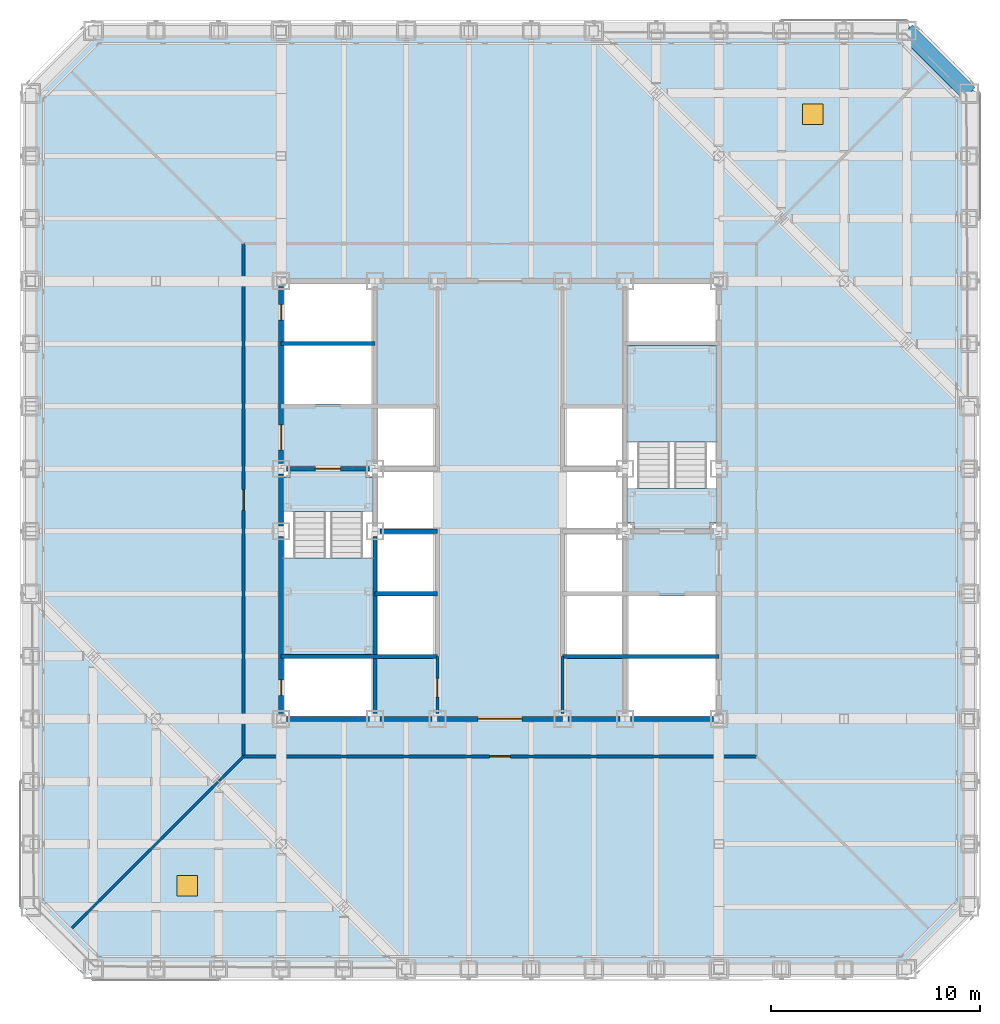
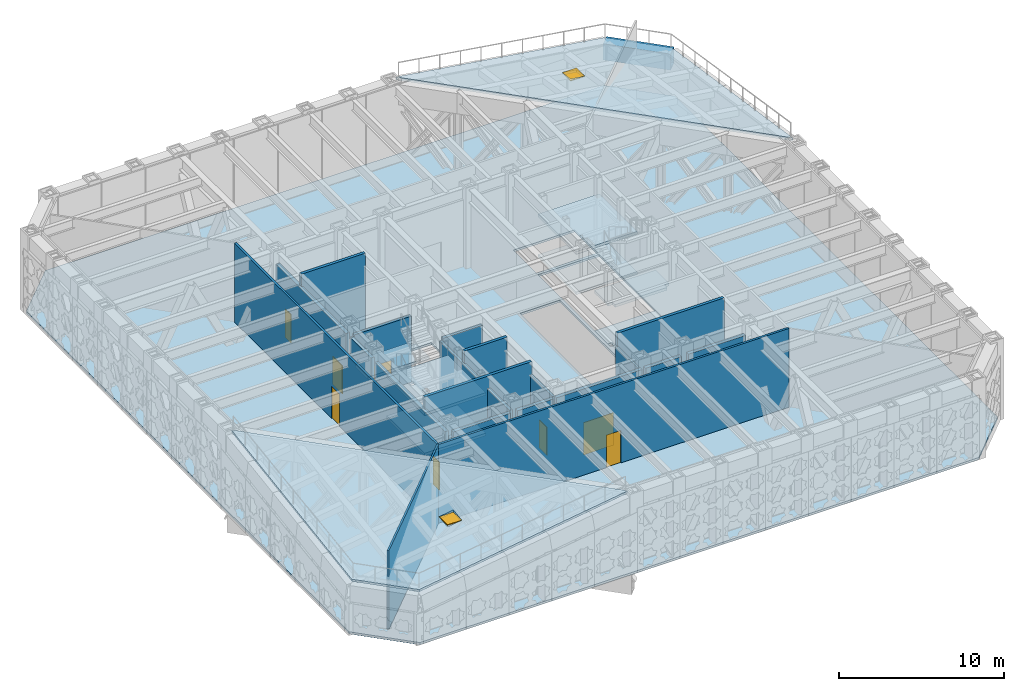
# One storey, part 11 of 31: 20 walls, 11 slabs, 10 doors, 1 beam, 10 openings, 2 elements without a shape of their own.
"""IFC4 building model written with IfcOpenShell, lengths in metres."""

from ifc_helpers import new_model, si_unit, direction, frame, frame_2d, origin, origin_2d, place, context, subcontext, project, spatial, polyline, rectangle, hollow_rectangle, outline, extrude, material, layer, layer_set, material_profile, profile_set, type_object, element, fill, aggregate, save


model = new_model("IFC4")

# Units and contexts
model_context = context("Model", 3, precision=1e-05, world=origin(), true_north=direction((0.0, 1.0)))
body_context = subcontext(model_context, "Body", "Model", "MODEL_VIEW")
ifc_project = project(units=[si_unit("LENGTHUNIT", "METRE"), si_unit("AREAUNIT", "SQUARE_METRE"), si_unit("VOLUMEUNIT", "CUBIC_METRE"), si_unit("PLANEANGLEUNIT", "RADIAN"), si_unit("MASSUNIT", "GRAM", prefix="KILO")], contexts=[model_context])

# Site, building, storey
site_placement = place(None, origin())
site = spatial("IfcSite", under=ifc_project, at=site_placement, CompositionType="ELEMENT")
building_placement = place(site_placement, origin())
building = spatial("IfcBuilding", under=site, at=building_placement, Name="Chuquiago Exchange Tower", CompositionType="ELEMENT")
storey_placement = place(building_placement, frame((0.0, 0.0, 96.300048828125)))
storey = spatial("IfcBuildingStorey", under=building, at=storey_placement, Name="L20", CompositionType="ELEMENT", Elevation=96.300048828125)

# Beam
ifc_material_1 = material(Name="Steel ASTM A572 Grade 50", Category="steel")
ifc_material_profile = material_profile(ifc_material_1, hollow_rectangle(XDim=0.800048828125, YDim=1.199951171875, WallThickness=0.10009765625, at=origin_2d()), Name="BOX1200X800X100")
ifc_profile_set = profile_set([ifc_material_profile], Name="Steel ASTM A572 Grade 50")
beam_type = type_object("IfcBeamType", Name="EB1 BOX1200X800X100", PredefinedType="BEAM", material=ifc_profile_set)
beam_placement = place(storey_placement, frame((45.0, 42.0, 2.945556640625), z_axis=(-0.707106781187, 0.707106781187, 0.0), x_axis=(-0.707106781187, -0.707106781187, 0.0)))
element("IfcBeam", 1, at=beam_placement, inside=storey, type_object=beam_type, Name="Facet roof edge beam L20", PredefinedType="BEAM", context=body_context, shape_type="SweptSolid", body=[
    extrude(hollow_rectangle(XDim=0.800048828125, YDim=1.199951171875, WallThickness=0.10009765625, at=origin_2d()), origin(), (0.0, 0.0, 1.0), 4.24267578125),
])

# Slab
ifc_material_2 = material(Name="Concrete C30/37", Category="concrete")
ifc_layer_1 = layer(ifc_material_2, 0.159912109375)
ifc_layer_set_1 = layer_set([ifc_layer_1], Name="FS1 composite floor 160")
slab_type_1 = type_object("IfcSlabType", Name="FS1 composite floor 160", PredefinedType="FLOOR", material=ifc_layer_set_1)
slab_1_placement = place(storey_placement, frame((0.0, 0.0, -0.16015625)))
element("IfcSlab", 2, at=slab_1_placement, inside=storey, type_object=slab_type_1, Name="L20 floor slab", PredefinedType="FLOOR", context=body_context, shape_type="SweptSolid", body=[
    extrude(outline(polyline([(2.896484375, -0.25), (-0.25, 2.896484375), (-0.25, 42.103515625), (2.896484375, 45.25), (42.103515625, 45.25), (45.25, 42.103515625), (45.25, 2.896484375), (42.103515625, -0.25), (2.896484375, -0.25)]), holes=[polyline([(16.39990234375, 15.10009765625), (12.10009765625, 15.10009765625), (12.10009765625, 23.89990234375), (16.39990234375, 23.89990234375), (16.39990234375, 15.10009765625)]), polyline([(32.89990234375, 21.10009765625), (28.60009765625, 21.10009765625), (28.60009765625, 29.89990234375), (32.89990234375, 29.89990234375), (32.89990234375, 21.10009765625)]), polyline([(16.39990234375, 12.10009765625), (12.10009765625, 12.10009765625), (12.10009765625, 14.89990234375), (16.39990234375, 14.89990234375), (16.39990234375, 12.10009765625)]), polyline([(16.39990234375, 30.10009765625), (12.10009765625, 30.10009765625), (12.10009765625, 32.89990234375), (16.39990234375, 32.89990234375), (16.39990234375, 30.10009765625)]), polyline([(32.89990234375, 12.10009765625), (28.60009765625, 12.10009765625), (28.60009765625, 14.89990234375), (32.89990234375, 14.89990234375), (32.89990234375, 12.10009765625)]), polyline([(32.89990234375, 30.10009765625), (28.60009765625, 30.10009765625), (28.60009765625, 32.89990234375), (32.89990234375, 32.89990234375), (32.89990234375, 30.10009765625)]), polyline([(16.39990234375, 27.10009765625), (12.10009765625, 27.10009765625), (12.10009765625, 29.89990234375), (16.39990234375, 29.89990234375), (16.39990234375, 27.10009765625)]), polyline([(32.89990234375, 15.10009765625), (28.60009765625, 15.10009765625), (28.60009765625, 17.89990234375), (32.89990234375, 17.89990234375), (32.89990234375, 15.10009765625)]), polyline([(19.39990234375, 15.10009765625), (16.60009765625, 15.10009765625), (16.60009765625, 26.89990234375), (19.39990234375, 26.89990234375), (19.39990234375, 15.10009765625)]), polyline([(28.39990234375, 15.10009765625), (25.60009765625, 15.10009765625), (25.60009765625, 26.89990234375), (28.39990234375, 26.89990234375), (28.39990234375, 15.10009765625)])]), origin(), (0.0, 0.0, 1.0), 0.16015625),
])

# Slab, opening, door
ifc_material_3 = material(Name="Concrete C30/37", Category="concrete")
ifc_layer_2 = layer(ifc_material_3, 0.199951171875)
ifc_layer_set_2 = layer_set([ifc_layer_2], Name="RS2 facet roof 200")
slab_type_2 = type_object("IfcSlabType", Name="RS2 facet roof 200", PredefinedType="ROOF", material=ifc_layer_set_2)
slab_2_placement = place(storey_placement, frame((42.0, 45.0, 3.745361328125), z_axis=(0.147018749662, 0.147018749662, 0.978146703974), x_axis=(0.707106781187, -0.707106781187, 0.0)))
slab_2 = element("IfcSlab", 3, at=slab_2_placement, inside=storey, type_object=slab_type_2, Name="Facet roof L20 NE, maintenance access only", PredefinedType="ROOF", context=body_context, shape_type="SweptSolid", body=[
    extrude(outline(polyline([(0.0, 0.0), (4.242640687119286, 0.0), (14.599269109224597, -10.588011368874223), (-10.356628422105313, -10.588011368874223), (0.0, 0.0)])), origin(), (0.0, 0.0, -1.0), 0.199951171875),
])
opening_1_placement = place(storey_placement, frame((37.5, 41.0, 4.5185546875)))
opening_1 = element("IfcOpeningElement", 4, at=opening_1_placement, cuts=slab_2, Name="Opening RH2", PredefinedType="OPENING", context=body_context, shape_type="SweptSolid", body=[
    extrude(rectangle(XDim=1.0, YDim=1.0, at=origin_2d()), origin(), (0.0, 0.0, 1.0), 0.804443359375),
])
ifc_material_4 = material(Name="Aluminium hatch, insulated, with upstand", Category="aluminium")
door_type_1 = type_object("IfcDoorType", Name="RH2 roof hatch 1000x1000", OperationType="SINGLE_SWING_LEFT", PredefinedType="TRAPDOOR", material=ifc_material_4)
door_1_placement = place(opening_1_placement, frame((0.0, 0.0, 0.454345703125)))
door_1 = element("IfcDoor", 5, at=door_1_placement, inside=storey, type_object=door_type_1, Name="Facet roof L20 NE access hatch, maintenance only", OperationType="SINGLE_SWING_LEFT", OverallHeight=1.0, OverallWidth=1.0, PredefinedType="TRAPDOOR", context=body_context, shape_type="SweptSolid", body=[
    extrude(rectangle(XDim=1.0, YDim=1.0, at=origin_2d()), origin(), (0.0, 0.0, 1.0), 0.050048828125),
])
fill(opening_1, door_1)

slab_3_placement = place(storey_placement, frame((3.0, 0.0, 3.745361328125), z_axis=(-0.147018749662, -0.147018749662, 0.978146703974), x_axis=(-0.707106781187, 0.707106781187, 0.0)))
slab_3 = element("IfcSlab", 6, at=slab_3_placement, inside=storey, type_object=slab_type_2, Name="Facet roof L20 SW, maintenance access only", PredefinedType="ROOF", context=body_context, shape_type="SweptSolid", body=[
    extrude(outline(polyline([(0.0, 0.0), (4.242640687119286, 0.0), (14.599269109224597, -10.588011368874223), (-10.356628422105313, -10.588011368874223), (0.0, 0.0)])), origin(), (0.0, 0.0, -1.0), 0.199951171875),
])
opening_2_placement = place(storey_placement, frame((7.5, 4.0, 4.5185546875)))
opening_2 = element("IfcOpeningElement", 7, at=opening_2_placement, cuts=slab_3, Name="Opening RH2", PredefinedType="OPENING", context=body_context, shape_type="SweptSolid", body=[
    extrude(rectangle(XDim=1.0, YDim=1.0, at=origin_2d()), origin(), (0.0, 0.0, 1.0), 0.804443359375),
])
door_2_placement = place(opening_2_placement, frame((0.0, 0.0, 0.454345703125)))
door_2 = element("IfcDoor", 8, at=door_2_placement, inside=storey, type_object=door_type_1, Name="Facet roof L20 SW access hatch, maintenance only", OperationType="SINGLE_SWING_LEFT", OverallHeight=1.0, OverallWidth=1.0, PredefinedType="TRAPDOOR", context=body_context, shape_type="SweptSolid", body=[
    extrude(rectangle(XDim=1.0, YDim=1.0, at=origin_2d()), origin(), (0.0, 0.0, 1.0), 0.050048828125),
])
fill(opening_2, door_2)

# Stair, slabs
ifc_material_5 = material(Name="Concrete C30/37, precast", Category="concrete")
stair_type_1 = type_object("IfcStairType", Name="ST1 double half-turn stair 6000", PredefinedType="DOUBLE_RETURN_STAIR", material=ifc_material_5)
stair_1_placement = place(storey_placement, origin())
stair_1 = element("IfcStair", 9, at=stair_1_placement, inside=storey, type_object=stair_type_1, Name="Stair ST1 L20", PredefinedType="DOUBLE_RETURN_STAIR")
ifc_material_6 = material(Name="Concrete C30/37, precast", Category="concrete")
ifc_layer_3 = layer(ifc_material_6, 0.199951171875)
ifc_layer_set_3 = layer_set([ifc_layer_3], Name="ST-L landing 200")
slab_type_3 = type_object("IfcSlabType", Name="ST-L landing 200", PredefinedType="LANDING", material=ifc_layer_set_3)
slab_4_placement = place(storey_placement, frame((0.0, 0.0, -0.199951171875)))
slab_4 = element("IfcSlab", 10, at=slab_4_placement, type_object=slab_type_3, Name="ST1 landing 1", PredefinedType="LANDING", context=body_context, shape_type="SweptSolid", body=[
    extrude(outline(polyline([(12.425048828125, 23.89990234375), (16.074951171875, 23.89990234375), (16.074951171875, 23.574951171875), (16.39990234375, 23.574951171875), (16.39990234375, 21.949951171875), (12.10009765625, 21.949951171875), (12.10009765625, 23.574951171875), (12.425048828125, 23.574951171875), (12.425048828125, 23.89990234375)])), origin(), (0.0, 0.0, 1.0), 0.199951171875),
])
slab_5_placement = place(storey_placement, frame((0.0, 0.0, 1.300048828125)))
slab_5 = element("IfcSlab", 11, at=slab_5_placement, type_object=slab_type_3, Name="ST1 landing 2", PredefinedType="LANDING", context=body_context, shape_type="SweptSolid", body=[
    extrude(outline(polyline([(12.10009765625, 19.7099609375), (16.39990234375, 19.7099609375), (16.39990234375, 15.10009765625), (12.10009765625, 15.10009765625), (12.10009765625, 19.7099609375)])), origin(), (0.0, 0.0, 1.0), 0.199951171875),
])
slab_6_placement = place(storey_placement, frame((0.0, 0.0, 2.800048828125)))
slab_6 = element("IfcSlab", 12, at=slab_6_placement, type_object=slab_type_3, Name="ST1 landing 3", PredefinedType="LANDING", context=body_context, shape_type="SweptSolid", body=[
    extrude(outline(polyline([(12.425048828125, 23.89990234375), (16.074951171875, 23.89990234375), (16.074951171875, 23.574951171875), (16.39990234375, 23.574951171875), (16.39990234375, 21.949951171875), (12.10009765625, 21.949951171875), (12.10009765625, 23.574951171875), (12.425048828125, 23.574951171875), (12.425048828125, 23.89990234375)])), origin(), (0.0, 0.0, 1.0), 0.199951171875),
])
slab_7_placement = place(storey_placement, frame((0.0, 0.0, 4.300048828125)))
slab_7 = element("IfcSlab", 13, at=slab_7_placement, type_object=slab_type_3, Name="ST1 landing 4", PredefinedType="LANDING", context=body_context, shape_type="SweptSolid", body=[
    extrude(outline(polyline([(12.10009765625, 19.7099609375), (16.39990234375, 19.7099609375), (16.39990234375, 15.10009765625), (12.10009765625, 15.10009765625), (12.10009765625, 19.7099609375)])), origin(), (0.0, 0.0, 1.0), 0.199951171875),
])
aggregate(stair_1, [slab_4, slab_5, slab_6, slab_7])

ifc_material_7 = material(Name="Concrete C30/37, precast", Category="concrete")
stair_type_2 = type_object("IfcStairType", Name="ST2 double half-turn stair 6000", PredefinedType="DOUBLE_RETURN_STAIR", material=ifc_material_7)
stair_2_placement = place(storey_placement, origin())
stair_2 = element("IfcStair", 14, at=stair_2_placement, inside=storey, type_object=stair_type_2, Name="Stair ST2 L20", PredefinedType="DOUBLE_RETURN_STAIR")
slab_8_placement = place(storey_placement, frame((0.0, 0.0, -0.199951171875)))
slab_8 = element("IfcSlab", 15, at=slab_8_placement, type_object=slab_type_3, Name="ST2 landing 1", PredefinedType="LANDING", context=body_context, shape_type="SweptSolid", body=[
    extrude(outline(polyline([(32.574951171875, 21.425048828125), (32.574951171875, 21.10009765625), (28.925048828125, 21.10009765625), (28.925048828125, 21.425048828125), (28.60009765625, 21.425048828125), (28.60009765625, 23.050048828125), (32.89990234375, 23.050048828125), (32.89990234375, 21.425048828125), (32.574951171875, 21.425048828125)])), origin(), (0.0, 0.0, 1.0), 0.199951171875),
])
slab_9_placement = place(storey_placement, frame((0.0, 0.0, 1.300048828125)))
slab_9 = element("IfcSlab", 16, at=slab_9_placement, type_object=slab_type_3, Name="ST2 landing 2", PredefinedType="LANDING", context=body_context, shape_type="SweptSolid", body=[
    extrude(outline(polyline([(28.60009765625, 29.89990234375), (32.89990234375, 29.89990234375), (32.89990234375, 25.2900390625), (28.60009765625, 25.2900390625), (28.60009765625, 29.89990234375)])), origin(), (0.0, 0.0, 1.0), 0.199951171875),
])
slab_10_placement = place(storey_placement, frame((0.0, 0.0, 2.800048828125)))
slab_10 = element("IfcSlab", 17, at=slab_10_placement, type_object=slab_type_3, Name="ST2 landing 3", PredefinedType="LANDING", context=body_context, shape_type="SweptSolid", body=[
    extrude(outline(polyline([(32.574951171875, 21.425048828125), (32.574951171875, 21.10009765625), (28.925048828125, 21.10009765625), (28.925048828125, 21.425048828125), (28.60009765625, 21.425048828125), (28.60009765625, 23.050048828125), (32.89990234375, 23.050048828125), (32.89990234375, 21.425048828125), (32.574951171875, 21.425048828125)])), origin(), (0.0, 0.0, 1.0), 0.199951171875),
])
slab_11_placement = place(storey_placement, frame((0.0, 0.0, 4.300048828125)))
slab_11 = element("IfcSlab", 18, at=slab_11_placement, type_object=slab_type_3, Name="ST2 landing 4", PredefinedType="LANDING", context=body_context, shape_type="SweptSolid", body=[
    extrude(outline(polyline([(28.60009765625, 29.89990234375), (32.89990234375, 29.89990234375), (32.89990234375, 25.2900390625), (28.60009765625, 25.2900390625), (28.60009765625, 29.89990234375)])), origin(), (0.0, 0.0, 1.0), 0.199951171875),
])
aggregate(stair_2, [slab_8, slab_9, slab_10, slab_11])

# Wall, opening, door
ifc_material_8 = material(Name="Concrete masonry, fully grouted", Category="masonry")
ifc_layer_4 = layer(ifc_material_8, 0.25)
ifc_layer_set_4 = layer_set([ifc_layer_4], Name="W1 core wall 250")
wall_type_1 = type_object("IfcWallType", Name="W1 core wall 250", PredefinedType="SOLIDWALL", material=ifc_layer_set_4)
wall_1_placement = place(storey_placement, frame((12.0, 12.25, 0.0), z_axis=(0.0, 0.0, 1.0), x_axis=(0.0, 1.0, 0.0)))
wall_1 = element("IfcWall", 19, at=wall_1_placement, inside=storey, type_object=wall_type_1, Name="CW-L20-00-0", PredefinedType="SOLIDWALL", context=body_context, shape_type="SweptSolid", body=[
    extrude(rectangle(XDim=8.5, YDim=0.25, at=frame_2d((4.25, 0.0))), origin(), (0.0, 0.0, 1.0), 4.912841796875),
])
opening_3_placement = place(wall_1_placement, frame((0.875, 0.0, 0.0)))
opening_3 = element("IfcOpeningElement", 20, at=opening_3_placement, cuts=wall_1, Name="Opening L20-009", PredefinedType="OPENING", context=body_context, shape_type="SweptSolid", body=[
    extrude(rectangle(XDim=0.75, YDim=2.10009765625, at=frame_2d((0.375, 1.050048828125))), frame((0.0, 0.135009765625, 0.0), z_axis=(0.0, -1.0, 0.0), x_axis=(1.0, 0.0, 0.0)), (0.0, 0.0, 1.0), 0.27001953125),
])
ifc_material_9 = material(Name="Steel door, painted", Category="steel")
door_type_2 = type_object("IfcDoorType", Name="D6 riser access door 750x2100", OperationType="SINGLE_SWING_LEFT", PredefinedType="DOOR", material=ifc_material_9)
door_3_placement = place(opening_3_placement, frame((0.75, 0.0, 0.0), z_axis=(0.0, 0.0, 1.0), x_axis=(-1.0, 0.0, 0.0)))
door_3 = element("IfcDoor", 21, at=door_3_placement, inside=storey, type_object=door_type_2, Name="Riser RW1 door", OperationType="SINGLE_SWING_RIGHT", OverallHeight=2.10009765625, OverallWidth=0.75, PredefinedType="DOOR", context=body_context, shape_type="SweptSolid", body=[
    extrude(rectangle(XDim=0.75, YDim=2.10009765625, at=frame_2d((0.375, 1.050048828125))), frame((0.0, 0.02490234375, 0.0), z_axis=(0.0, -1.0, 0.0), x_axis=(1.0, 0.0, 0.0)), (0.0, 0.0, 1.0), 0.050048828125),
])
fill(opening_3, door_3)

# Wall
wall_2_placement = place(storey_placement, frame((12.0, 21.25, 0.0), z_axis=(0.0, 0.0, 1.0), x_axis=(0.0, 1.0, 0.0)))
element("IfcWall", 22, at=wall_2_placement, inside=storey, type_object=wall_type_1, Name="CW-L20-00-1", PredefinedType="SOLIDWALL", context=body_context, shape_type="SweptSolid", body=[
    extrude(rectangle(XDim=2.5, YDim=0.25, at=frame_2d((1.25, 0.0))), origin(), (0.0, 0.0, 1.0), 4.912841796875),
])

# Wall, openings, doors
wall_3_placement = place(storey_placement, frame((12.0, 24.25, 0.0), z_axis=(0.0, 0.0, 1.0), x_axis=(0.0, 1.0, 0.0)))
wall_3 = element("IfcWall", 23, at=wall_3_placement, inside=storey, type_object=wall_type_1, Name="CW-L20-00-2", PredefinedType="SOLIDWALL", context=body_context, shape_type="SweptSolid", body=[
    extrude(rectangle(XDim=8.5, YDim=0.25, at=frame_2d((4.25, 0.0))), origin(), (0.0, 0.0, 1.0), 4.912841796875),
])
opening_4_placement = place(wall_3_placement, frame((0.64990234375, 0.0, 0.0)))
opening_4 = element("IfcOpeningElement", 24, at=opening_4_placement, cuts=wall_3, Name="Opening L20-004", PredefinedType="OPENING", context=body_context, shape_type="SweptSolid", body=[
    extrude(rectangle(XDim=1.199951171875, YDim=2.10009765625, at=frame_2d((0.60009765625, 1.050048828125))), frame((0.0, 0.135009765625, 0.0), z_axis=(0.0, -1.0, 0.0), x_axis=(1.0, 0.0, 0.0)), (0.0, 0.0, 1.0), 0.27001953125),
])
opening_5_placement = place(wall_3_placement, frame((6.875, 0.0, 0.0)))
opening_5 = element("IfcOpeningElement", 25, at=opening_5_placement, cuts=wall_3, Name="Opening L20-010", PredefinedType="OPENING", context=body_context, shape_type="SweptSolid", body=[
    extrude(rectangle(XDim=0.75, YDim=2.10009765625, at=frame_2d((0.375, 1.050048828125))), frame((0.0, 0.135009765625, 0.0), z_axis=(0.0, -1.0, 0.0), x_axis=(1.0, 0.0, 0.0)), (0.0, 0.0, 1.0), 0.27001953125),
])
ifc_material_10 = material(Name="Steel door, painted", Category="steel")
door_type_3 = type_object("IfcDoorType", Name="D5 firefighting lobby door 1200x2100", OperationType="SINGLE_SWING_LEFT", PredefinedType="DOOR", material=ifc_material_10)
door_4_placement = place(opening_4_placement, frame((1.199951171875, 0.0, 0.0), z_axis=(0.0, 0.0, 1.0), x_axis=(-1.0, 0.0, 0.0)))
door_4 = element("IfcDoor", 26, at=door_4_placement, inside=storey, type_object=door_type_3, Name="Firefighting lobby 1 door", OperationType="SINGLE_SWING_RIGHT", OverallHeight=2.10009765625, OverallWidth=1.199951171875, PredefinedType="DOOR", context=body_context, shape_type="SweptSolid", body=[
    extrude(rectangle(XDim=1.199951171875, YDim=2.10009765625, at=frame_2d((0.60009765625, 1.050048828125))), frame((0.0, 0.02490234375, 0.0), z_axis=(0.0, -1.0, 0.0), x_axis=(1.0, 0.0, 0.0)), (0.0, 0.0, 1.0), 0.050048828125),
])
fill(opening_4, door_4)
door_5_placement = place(opening_5_placement, frame((0.75, 0.0, 0.0), z_axis=(0.0, 0.0, 1.0), x_axis=(-1.0, 0.0, 0.0)))
door_5 = element("IfcDoor", 27, at=door_5_placement, inside=storey, type_object=door_type_2, Name="Riser RW2 door", OperationType="SINGLE_SWING_LEFT", OverallHeight=2.10009765625, OverallWidth=0.75, PredefinedType="DOOR", context=body_context, shape_type="SweptSolid", body=[
    extrude(rectangle(XDim=0.75, YDim=2.10009765625, at=frame_2d((0.375, 1.050048828125))), frame((0.0, 0.02490234375, 0.0), z_axis=(0.0, -1.0, 0.0), x_axis=(1.0, 0.0, 0.0)), (0.0, 0.0, 1.0), 0.050048828125),
])
fill(opening_5, door_5)

# Walls
wall_4_placement = place(storey_placement, frame((12.25, 12.0, 0.0), z_axis=(0.0, 0.0, 1.0), x_axis=(1.0, 0.0, 0.0)))
element("IfcWall", 28, at=wall_4_placement, inside=storey, type_object=wall_type_1, Name="CW-L20-01-0", PredefinedType="SOLIDWALL", context=body_context, shape_type="SweptSolid", body=[
    extrude(rectangle(XDim=4.0, YDim=0.25, at=frame_2d((2.0, 0.0))), origin(), (0.0, 0.0, 1.0), 4.9814453125),
])
for number, where, z_axis, x_axis, name in (
    (29, (16.75, 12.0, 0.0), (0.0, 0.0, 1.0), (1.0, 0.0, 0.0), "CW-L20-01-1"),
    (30, (25.75, 12.0, 0.0), (0.0, 0.0, 1.0), (1.0, 0.0, 0.0), "CW-L20-02-0"),
):
    element("IfcWall", number, at=place(storey_placement, frame(where, z_axis=z_axis, x_axis=x_axis)), inside=storey, type_object=wall_type_1, Name=name, PredefinedType="SOLIDWALL", context=body_context, shape_type="SweptSolid", body=[
        extrude(rectangle(XDim=2.5, YDim=0.25, at=frame_2d((1.25, 0.0))), origin(), (0.0, 0.0, 1.0), 4.9814453125),
    ])
wall_5_placement = place(storey_placement, frame((28.75, 12.0, 0.0), z_axis=(0.0, 0.0, 1.0), x_axis=(1.0, 0.0, 0.0)))
element("IfcWall", 31, at=wall_5_placement, inside=storey, type_object=wall_type_1, Name="CW-L20-02-1", PredefinedType="SOLIDWALL", context=body_context, shape_type="SweptSolid", body=[
    extrude(rectangle(XDim=4.0, YDim=0.25, at=frame_2d((2.0, 0.0))), origin(), (0.0, 0.0, 1.0), 4.9814453125),
])

# Wall, opening, door
wall_6_placement = place(storey_placement, frame((19.5, 12.0, 0.0), z_axis=(0.0, 0.0, 1.0), x_axis=(1.0, 0.0, 0.0)))
wall_6 = element("IfcWall", 32, at=wall_6_placement, inside=storey, type_object=wall_type_1, Name="CW-L20-LLS", PredefinedType="SOLIDWALL", context=body_context, shape_type="SweptSolid", body=[
    extrude(rectangle(XDim=6.0, YDim=0.25, at=frame_2d((3.0, 0.0))), origin(), (0.0, 0.0, 1.0), 4.9814453125),
])
opening_6_placement = place(wall_6_placement, frame((1.949951171875, 0.0, 0.0)))
opening_6 = element("IfcOpeningElement", 33, at=opening_6_placement, cuts=wall_6, Name="Opening L20-001", PredefinedType="OPENING", context=body_context, shape_type="SweptSolid", body=[
    extrude(rectangle(XDim=2.10009765625, YDim=2.39990234375, at=frame_2d((1.050048828125, 1.199951171875))), frame((0.0, 0.135009765625, 0.0), z_axis=(0.0, -1.0, 0.0), x_axis=(1.0, 0.0, 0.0)), (0.0, 0.0, 1.0), 0.27001953125),
])
ifc_material_11 = material(Name="Steel door, painted", Category="steel")
door_type_4 = type_object("IfcDoorType", Name="D11 plant room double door 2100x2400", OperationType="DOUBLE_DOOR_DOUBLE_SWING", PredefinedType="DOOR", material=ifc_material_11)
door_6_placement = place(opening_6_placement, origin())
door_6 = element("IfcDoor", 34, at=door_6_placement, inside=storey, type_object=door_type_4, Name="Plant room door S", OperationType="DOUBLE_DOOR_DOUBLE_SWING", OverallHeight=2.39990234375, OverallWidth=2.10009765625, PredefinedType="DOOR", context=body_context, shape_type="SweptSolid", body=[
    extrude(rectangle(XDim=2.10009765625, YDim=2.39990234375, at=frame_2d((1.050048828125, 1.199951171875))), frame((0.0, 0.02490234375, 0.0), z_axis=(0.0, -1.0, 0.0), x_axis=(1.0, 0.0, 0.0)), (0.0, 0.0, 1.0), 0.050048828125),
])
fill(opening_6, door_6)

ifc_material_12 = material(Name="Gypsum board on steel studs, acoustic insulation", Category="steel")
ifc_layer_5 = layer(ifc_material_12, 0.14990234375)
ifc_layer_set_5 = layer_set([ifc_layer_5], Name="W11 corridor wall 150")
wall_type_2 = type_object("IfcWallType", Name="W11 corridor wall 150", PredefinedType="PARTITIONING", material=ifc_layer_set_5)
wall_7_placement = place(storey_placement, frame((10.199951171875, 10.199951171875, 0.0), z_axis=(0.0, 0.0, 1.0), x_axis=(1.0, 0.0, 0.0)))
wall_7 = element("IfcWall", 35, at=wall_7_placement, inside=storey, type_object=wall_type_2, Name="PW-L20-PCS", PredefinedType="PARTITIONING", context=body_context, shape_type="SweptSolid", body=[
    extrude(rectangle(XDim=24.60009765625, YDim=0.14990234375, at=frame_2d((12.300048828125, 0.0))), origin(), (0.0, 0.0, 1.0), 5.83984375),
])
opening_7_placement = place(wall_7_placement, frame((11.800048828125, 0.0, 0.0)))
opening_7 = element("IfcOpeningElement", 36, at=opening_7_placement, cuts=wall_7, Name="Opening L20-014", PredefinedType="OPENING", context=body_context, shape_type="SweptSolid", body=[
    extrude(rectangle(XDim=1.0, YDim=2.39990234375, at=frame_2d((0.5, 1.199951171875))), frame((0.0, 0.0849609375, 0.0), z_axis=(0.0, -1.0, 0.0), x_axis=(1.0, 0.0, 0.0)), (0.0, 0.0, 1.0), 0.169921875),
])
ifc_material_13 = material(Name="Timber door, laminate faced", Category="wood")
door_type_5 = type_object("IfcDoorType", Name="D9 room door 1000x2400", OperationType="SINGLE_SWING_LEFT", PredefinedType="DOOR", material=ifc_material_13)
door_7_placement = place(opening_7_placement, frame((1.0, 0.0, 0.0), z_axis=(0.0, 0.0, 1.0), x_axis=(-1.0, 0.0, 0.0)))
door_7 = element("IfcDoor", 37, at=door_7_placement, inside=storey, type_object=door_type_5, Name="Plant corridor south door", OperationType="SINGLE_SWING_LEFT", OverallHeight=2.39990234375, OverallWidth=1.0, PredefinedType="DOOR", context=body_context, shape_type="SweptSolid", body=[
    extrude(rectangle(XDim=1.0, YDim=2.39990234375, at=frame_2d((0.5, 1.199951171875))), frame((0.0, 0.02490234375, 0.0), z_axis=(0.0, -1.0, 0.0), x_axis=(1.0, 0.0, 0.0)), (0.0, 0.0, 1.0), 0.050048828125),
])
fill(opening_7, door_7)

wall_8_placement = place(storey_placement, frame((10.199951171875, 10.199951171875, 0.0), z_axis=(0.0, 0.0, 1.0), x_axis=(0.0, 1.0, 0.0)))
wall_8 = element("IfcWall", 38, at=wall_8_placement, inside=storey, type_object=wall_type_2, Name="PW-L20-PCW", PredefinedType="PARTITIONING", context=body_context, shape_type="SweptSolid", body=[
    extrude(rectangle(XDim=24.60009765625, YDim=0.14990234375, at=frame_2d((12.300048828125, 0.0))), origin(), (0.0, 0.0, 1.0), 5.83984375),
])
opening_8_placement = place(wall_8_placement, frame((11.800048828125, 0.0, 0.0)))
opening_8 = element("IfcOpeningElement", 39, at=opening_8_placement, cuts=wall_8, Name="Opening L20-016", PredefinedType="OPENING", context=body_context, shape_type="SweptSolid", body=[
    extrude(rectangle(XDim=1.0, YDim=2.39990234375, at=frame_2d((0.5, 1.199951171875))), frame((0.0, 0.0849609375, 0.0), z_axis=(0.0, -1.0, 0.0), x_axis=(1.0, 0.0, 0.0)), (0.0, 0.0, 1.0), 0.169921875),
])
door_8_placement = place(opening_8_placement, origin())
door_8 = element("IfcDoor", 40, at=door_8_placement, inside=storey, type_object=door_type_5, Name="Plant corridor west door", OperationType="SINGLE_SWING_RIGHT", OverallHeight=2.39990234375, OverallWidth=1.0, PredefinedType="DOOR", context=body_context, shape_type="SweptSolid", body=[
    extrude(rectangle(XDim=1.0, YDim=2.39990234375, at=frame_2d((0.5, 1.199951171875))), frame((0.0, 0.02490234375, 0.0), z_axis=(0.0, -1.0, 0.0), x_axis=(1.0, 0.0, 0.0)), (0.0, 0.0, 1.0), 0.050048828125),
])
fill(opening_8, door_8)

# Walls
ifc_material_14 = material(Name="Concrete masonry, fully grouted", Category="masonry")
ifc_layer_6 = layer(ifc_material_14, 0.199951171875)
ifc_layer_set_6 = layer_set([ifc_layer_6], Name="W2 shaft wall 200")
wall_type_3 = type_object("IfcWallType", Name="W2 shaft wall 200", PredefinedType="SOLIDWALL", material=ifc_layer_set_6)
for number, where, z_axis, x_axis, name in (
    (41, (12.0, 15.0, 0.0), (0.0, 0.0, 1.0), (1.0, 0.0, 0.0), "CW-L20-03-0"),
    (42, (25.5, 15.0, 0.0), (0.0, 0.0, 1.0), (1.0, 0.0, 0.0), "CW-L20-04-0"),
):
    element("IfcWall", number, at=place(storey_placement, frame(where, z_axis=z_axis, x_axis=x_axis)), inside=storey, type_object=wall_type_3, Name=name, PredefinedType="SOLIDWALL", context=body_context, shape_type="SweptSolid", body=[
        extrude(rectangle(XDim=7.5, YDim=0.199951171875, at=frame_2d((3.75, 0.0))), origin(), (0.0, 0.0, 1.0), 5.83984375),
    ])

# Wall, opening, door
wall_9_placement = place(storey_placement, frame((12.25, 24.0, 0.0), z_axis=(0.0, 0.0, 1.0), x_axis=(1.0, 0.0, 0.0)))
wall_9 = element("IfcWall", 43, at=wall_9_placement, inside=storey, type_object=wall_type_3, Name="CW-L20-05-0", PredefinedType="SOLIDWALL", context=body_context, shape_type="SweptSolid", body=[
    extrude(rectangle(XDim=4.0, YDim=0.199951171875, at=frame_2d((2.0, 0.0))), origin(), (0.0, 0.0, 1.0), 4.889892578125),
])
opening_9_placement = place(wall_9_placement, frame((1.39990234375, 0.0, 0.0)))
opening_9 = element("IfcOpeningElement", 44, at=opening_9_placement, cuts=wall_9, Name="Opening L20-003", PredefinedType="OPENING", context=body_context, shape_type="SweptSolid", body=[
    extrude(rectangle(XDim=1.199951171875, YDim=2.10009765625, at=frame_2d((0.60009765625, 1.050048828125))), frame((0.0, 0.10986328125, 0.0), z_axis=(0.0, -1.0, 0.0), x_axis=(1.0, 0.0, 0.0)), (0.0, 0.0, 1.0), 0.219970703125),
])
ifc_material_15 = material(Name="Steel door, painted", Category="steel")
door_type_6 = type_object("IfcDoorType", Name="D4 stair door 1200x2100", OperationType="SINGLE_SWING_LEFT", PredefinedType="DOOR", material=ifc_material_15)
door_9_placement = place(opening_9_placement, frame((1.199951171875, 0.0, 0.0), z_axis=(0.0, 0.0, 1.0), x_axis=(-1.0, 0.0, 0.0)))
door_9 = element("IfcDoor", 45, at=door_9_placement, inside=storey, type_object=door_type_6, Name="Stair ST1 door", OperationType="SINGLE_SWING_RIGHT", OverallHeight=2.10009765625, OverallWidth=1.199951171875, PredefinedType="DOOR", context=body_context, shape_type="SweptSolid", body=[
    extrude(rectangle(XDim=1.199951171875, YDim=2.10009765625, at=frame_2d((0.60009765625, 1.050048828125))), frame((0.0, 0.02490234375, 0.0), z_axis=(0.0, -1.0, 0.0), x_axis=(1.0, 0.0, 0.0)), (0.0, 0.0, 1.0), 0.050048828125),
])
fill(opening_9, door_9)

# Walls
wall_10_placement = place(storey_placement, frame((12.0, 30.0, 0.0), z_axis=(0.0, 0.0, 1.0), x_axis=(1.0, 0.0, 0.0)))
element("IfcWall", 46, at=wall_10_placement, inside=storey, type_object=wall_type_3, Name="CW-L20-09-0", PredefinedType="SOLIDWALL", context=body_context, shape_type="SweptSolid", body=[
    extrude(rectangle(XDim=4.5, YDim=0.199951171875, at=frame_2d((2.25, 0.0))), origin(), (0.0, 0.0, 1.0), 5.83984375),
])
wall_11_placement = place(storey_placement, frame((16.5, 12.25, 0.0), z_axis=(0.0, 0.0, 1.0), x_axis=(0.0, 1.0, 0.0)))
element("IfcWall", 47, at=wall_11_placement, inside=storey, type_object=wall_type_3, Name="CW-L20-13-0", PredefinedType="SOLIDWALL", context=body_context, shape_type="SweptSolid", body=[
    extrude(rectangle(XDim=8.5, YDim=0.199951171875, at=frame_2d((4.25, 0.0))), origin(), (0.0, 0.0, 1.0), 4.912841796875),
])
wall_12_placement = place(storey_placement, frame((16.5, 18.0, 0.0), z_axis=(0.0, 0.0, 1.0), x_axis=(1.0, 0.0, 0.0)))
element("IfcWall", 48, at=wall_12_placement, inside=storey, type_object=wall_type_3, Name="CW-L20-14-0", PredefinedType="SOLIDWALL", context=body_context, shape_type="SweptSolid", body=[
    extrude(rectangle(XDim=3.0, YDim=0.199951171875, at=frame_2d((1.5, 0.0))), origin(), (0.0, 0.0, 1.0), 5.83984375),
])
wall_13_placement = place(storey_placement, frame((16.75, 21.0, 0.0), z_axis=(0.0, 0.0, 1.0), x_axis=(1.0, 0.0, 0.0)))
element("IfcWall", 49, at=wall_13_placement, inside=storey, type_object=wall_type_3, Name="CW-L20-16-0", PredefinedType="SOLIDWALL", context=body_context, shape_type="SweptSolid", body=[
    extrude(rectangle(XDim=2.75, YDim=0.199951171875, at=frame_2d((1.375, 0.0))), origin(), (0.0, 0.0, 1.0), 4.889892578125),
])

# Wall, opening, door
ifc_material_16 = material(Name="Gypsum board on steel studs", Category="steel")
ifc_layer_7 = layer(ifc_material_16, 0.14990234375)
ifc_layer_set_7 = layer_set([ifc_layer_7], Name="W3 core partition 150")
wall_type_4 = type_object("IfcWallType", Name="W3 core partition 150", PredefinedType="PARTITIONING", material=ifc_layer_set_7)
wall_14_placement = place(storey_placement, frame((19.5, 12.25, 0.0), z_axis=(0.0, 0.0, 1.0), x_axis=(0.0, 1.0, 0.0)))
wall_14 = element("IfcWall", 50, at=wall_14_placement, inside=storey, type_object=wall_type_4, Name="CW-L20-18-0", PredefinedType="PARTITIONING", context=body_context, shape_type="SweptSolid", body=[
    extrude(rectangle(XDim=2.75, YDim=0.14990234375, at=frame_2d((1.375, 0.0))), origin(), (0.0, 0.0, 1.0), 4.864501953125),
])
opening_10_placement = place(wall_14_placement, frame((0.800048828125, 0.0, 0.0)))
opening_10 = element("IfcOpeningElement", 51, at=opening_10_placement, cuts=wall_14, Name="Opening L20-013", PredefinedType="OPENING", context=body_context, shape_type="SweptSolid", body=[
    extrude(rectangle(XDim=0.89990234375, YDim=2.10009765625, at=frame_2d((0.449951171875, 1.050048828125))), frame((0.0, 0.0849609375, 0.0), z_axis=(0.0, -1.0, 0.0), x_axis=(1.0, 0.0, 0.0)), (0.0, 0.0, 1.0), 0.169921875),
])
ifc_material_17 = material(Name="Timber door, laminate faced", Category="wood")
door_type_7 = type_object("IfcDoorType", Name="D7 toilet door 900x2100", OperationType="SINGLE_SWING_LEFT", PredefinedType="DOOR", material=ifc_material_17)
door_10_placement = place(opening_10_placement, frame((0.89990234375, 0.0, 0.0), z_axis=(0.0, 0.0, 1.0), x_axis=(-1.0, 0.0, 0.0)))
door_10 = element("IfcDoor", 52, at=door_10_placement, inside=storey, type_object=door_type_7, Name="Cleaner door", OperationType="SINGLE_SWING_RIGHT", OverallHeight=2.10009765625, OverallWidth=0.89990234375, PredefinedType="DOOR", context=body_context, shape_type="SweptSolid", body=[
    extrude(rectangle(XDim=0.89990234375, YDim=2.10009765625, at=frame_2d((0.449951171875, 1.050048828125))), frame((0.0, 0.02490234375, 0.0), z_axis=(0.0, -1.0, 0.0), x_axis=(1.0, 0.0, 0.0)), (0.0, 0.0, 1.0), 0.050048828125),
])
fill(opening_10, door_10)

# Walls
wall_15_placement = place(storey_placement, frame((25.5, 12.25, 0.0), z_axis=(0.0, 0.0, 1.0), x_axis=(0.0, 1.0, 0.0)))
element("IfcWall", 53, at=wall_15_placement, inside=storey, type_object=wall_type_4, Name="CW-L20-21-0", PredefinedType="PARTITIONING", context=body_context, shape_type="SweptSolid", body=[
    extrude(rectangle(XDim=2.75, YDim=0.14990234375, at=frame_2d((1.375, 0.0))), origin(), (0.0, 0.0, 1.0), 4.864501953125),
])
ifc_material_18 = material(Name="Gypsum board on steel studs", Category="steel")
ifc_layer_8 = layer(ifc_material_18, 0.1201171875)
ifc_layer_set_8 = layer_set([ifc_layer_8], Name="W4 partition 120")
wall_type_5 = type_object("IfcWallType", Name="W4 partition 120", PredefinedType="PARTITIONING", material=ifc_layer_set_8)
wall_16_placement = place(storey_placement, frame((10.199951171875, 10.199951171875, 0.0), z_axis=(0.0, 0.0, 1.0), x_axis=(-0.707106781187, -0.707106781187, 0.0)))
element("IfcWall", 54, at=wall_16_placement, inside=storey, type_object=wall_type_5, Name="PW-L20-PDSW0", PredefinedType="PARTITIONING", context=body_context, shape_type="SweptSolid", body=[
    extrude(rectangle(XDim=11.67138671875, YDim=0.1201171875, at=frame_2d((5.835693359375, 0.0))), origin(), (0.0, 0.0, 1.0), 5.83984375),
])

save(model, "model.ifc")
